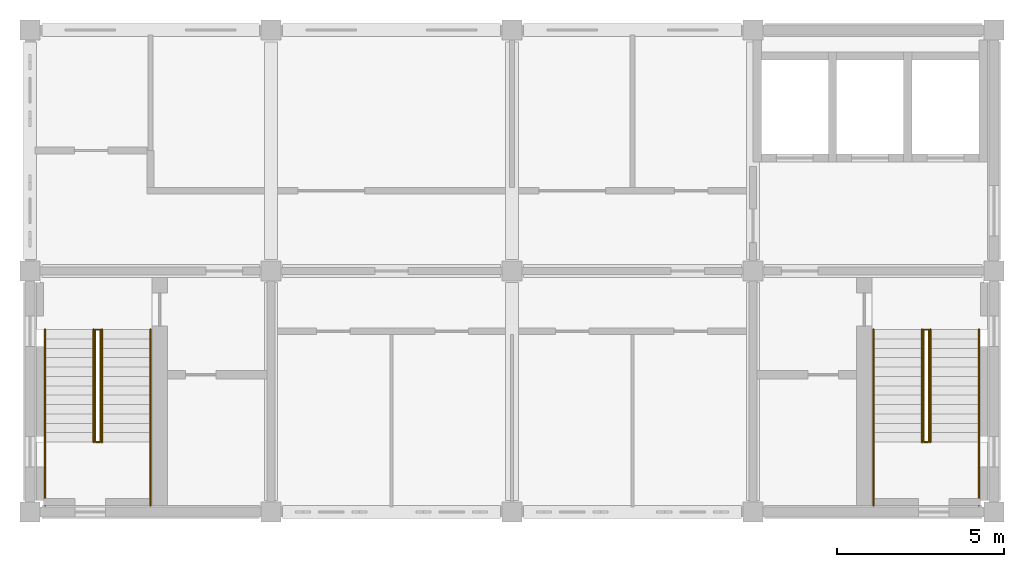
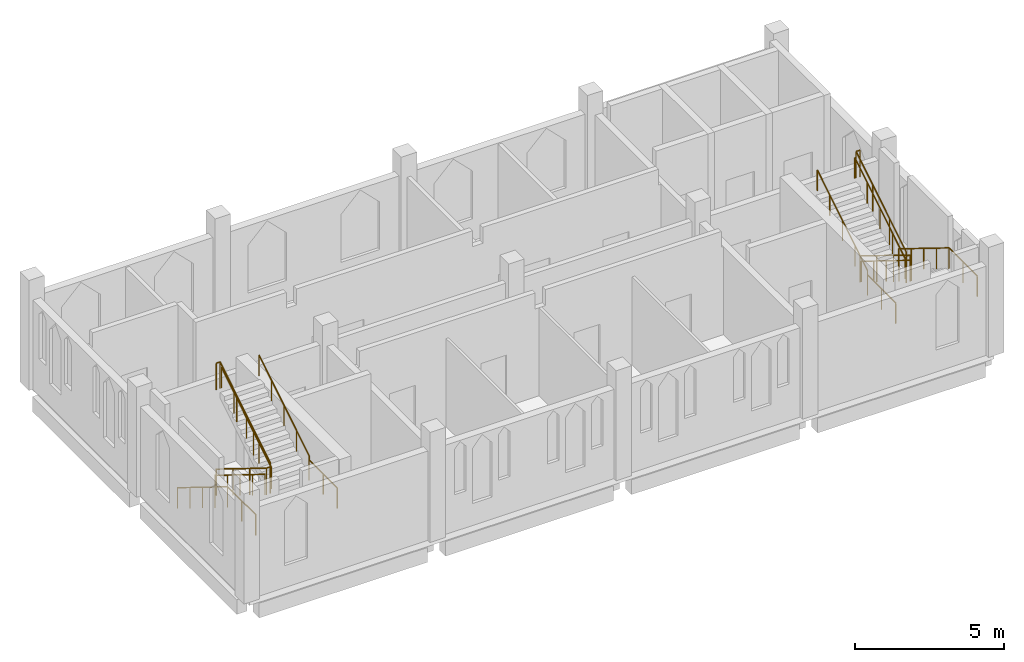
# One storey, part 5 of 5: 10 railings.
"""IFC4 building model written with IfcOpenShell, lengths in metres."""

from ifc_helpers import new_model, si_unit, direction, frame, origin, origin_2d, place, context, subcontext, project, spatial, circle, extrude, material, type_object, element, save


model = new_model("IFC4")

# Units and contexts
model_context = context("Model", 3, precision=1e-05, world=origin(), true_north=direction((0.0, 1.0)))
body_context = subcontext(model_context, "Body", "Model", "MODEL_VIEW")
ifc_project = project(units=[si_unit("LENGTHUNIT", "METRE"), si_unit("AREAUNIT", "SQUARE_METRE"), si_unit("VOLUMEUNIT", "CUBIC_METRE"), si_unit("PLANEANGLEUNIT", "RADIAN"), si_unit("MASSUNIT", "GRAM", prefix="KILO")], contexts=[model_context])

# Site, building, storey
site_placement = place(None, origin())
site = spatial("IfcSite", under=ifc_project, at=site_placement, CompositionType="ELEMENT")
building_placement = place(site_placement, origin())
building = spatial("IfcBuilding", under=site, at=building_placement, Name="Silangan Lancet Faculty of Sciences", CompositionType="ELEMENT")
storey_placement = place(building_placement, frame((0.0, 0.0, 72.300048828125)))
storey = spatial("IfcBuildingStorey", under=building, at=storey_placement, Name="L15", CompositionType="ELEMENT", Elevation=72.300048828125)

# Railings
ifc_material_1 = material(Name="Steel balustrade", Category="steel")
railing_type_1 = type_object("IfcRailingType", Name="STAIR GUARD 1100", PredefinedType="GUARDRAIL", material=ifc_material_1)
railing_1_placement = place(storey_placement, frame((1.949951171875, 5.449951171875, 0.173095703125)))
element("IfcRailing", 1, at=railing_1_placement, inside=storey, type_object=railing_type_1, Name="GUARD-ST-A-L15", PredefinedType="GUARDRAIL", context=body_context, shape_type="SweptSolid", body=[
    extrude(circle(Radius=0.02392578125, at=origin_2d()), frame((0.0, 0.0, 1.076171875), z_axis=(0.0, -0.850606129759, 0.525803396734), x_axis=(1.0, 0.0, 0.0)), (0.0, 0.0, 1.0), 3.949951171875),
    extrude(circle(Radius=0.02392578125, at=origin_2d()), frame((0.0, -3.35986328125, 3.15283203125), z_axis=(1.0, 0.0, 0.0), x_axis=(0.0, 1.0, 0.0)), (0.0, 0.0, 1.0), 0.150146484375),
    extrude(circle(Radius=0.02392578125, at=origin_2d()), frame((0.150146484375, -3.35986328125, 3.15283203125), z_axis=(0.0, 0.0, 1.0), x_axis=(1.0, 0.0, 0.0)), (0.0, 0.0, 1.0), 0.173095703125),
    extrude(circle(Radius=0.02392578125, at=origin_2d()), frame((0.150146484375, -3.35986328125, 3.326171875), z_axis=(0.0, 0.850606129759, 0.525803396734), x_axis=(-1.0, 0.0, 0.0)), (0.0, 0.0, 1.0), 3.949951171875),
    extrude(circle(Radius=0.02392578125, at=origin_2d()), frame((0.150146484375, 0.0, 5.40283203125), z_axis=(-1.0, 0.0, 0.0), x_axis=(0.0, -1.0, 0.0)), (0.0, 0.0, 1.0), 0.150146484375),
    extrude(circle(Radius=0.02099609375, at=origin_2d()), origin(), (0.0, 0.0, 1.0), 1.052001953125),
    extrude(circle(Radius=0.02099609375, at=origin_2d()), frame((0.0, -1.119873046875, 0.6923828125)), (0.0, 0.0, 1.0), 1.052001953125),
    extrude(circle(Radius=0.02099609375, at=origin_2d()), frame((0.0, -2.239990234375, 1.384521484375)), (0.0, 0.0, 1.0), 1.052001953125),
    extrude(circle(Radius=0.02099609375, at=origin_2d()), frame((0.0, -3.35986328125, 2.076904296875)), (0.0, 0.0, 1.0), 1.052001953125),
    extrude(circle(Radius=0.02099609375, at=origin_2d()), frame((0.150146484375, -3.35986328125, 2.076904296875)), (0.0, 0.0, 1.0), 1.052001953125),
    extrude(circle(Radius=0.02099609375, at=origin_2d()), frame((0.150146484375, -3.35986328125, 2.25)), (0.0, 0.0, 1.0), 1.052001953125),
    extrude(circle(Radius=0.02099609375, at=origin_2d()), frame((0.150146484375, -2.239990234375, 2.9423828125)), (0.0, 0.0, 1.0), 1.052001953125),
    extrude(circle(Radius=0.02099609375, at=origin_2d()), frame((0.150146484375, -1.119873046875, 3.634521484375)), (0.0, 0.0, 1.0), 1.052001953125),
    extrude(circle(Radius=0.02099609375, at=origin_2d()), frame((0.150146484375, 0.0, 4.326904296875)), (0.0, 0.0, 1.0), 1.052001953125),
    extrude(circle(Radius=0.02099609375, at=origin_2d()), frame((0.0, 0.0, 4.326904296875)), (0.0, 0.0, 1.0), 1.052001953125),
])
railing_2_placement = place(storey_placement, frame((26.85009765625, 5.449951171875, 0.173095703125)))
element("IfcRailing", 2, at=railing_2_placement, inside=storey, type_object=railing_type_1, Name="GUARD-ST-B-L15", PredefinedType="GUARDRAIL", context=body_context, shape_type="SweptSolid", body=[
    extrude(circle(Radius=0.02392578125, at=origin_2d()), frame((0.0, 0.0, 1.076171875), z_axis=(0.0, -0.850606129759, 0.525803396734), x_axis=(1.0, 0.0, 0.0)), (0.0, 0.0, 1.0), 3.949951171875),
    extrude(circle(Radius=0.02392578125, at=origin_2d()), frame((0.0, -3.35986328125, 3.15283203125), z_axis=(-1.0, 0.0, 0.0), x_axis=(0.0, -1.0, 0.0)), (0.0, 0.0, 1.0), 0.150146484375),
    extrude(circle(Radius=0.02392578125, at=origin_2d()), frame((-0.150146484375, -3.35986328125, 3.15283203125), z_axis=(0.0, 0.0, 1.0), x_axis=(1.0, 0.0, 0.0)), (0.0, 0.0, 1.0), 0.173095703125),
    extrude(circle(Radius=0.02392578125, at=origin_2d()), frame((-0.150146484375, -3.35986328125, 3.326171875), z_axis=(0.0, 0.850606129759, 0.525803396734), x_axis=(-1.0, 0.0, 0.0)), (0.0, 0.0, 1.0), 3.949951171875),
    extrude(circle(Radius=0.02392578125, at=origin_2d()), frame((-0.150146484375, 0.0, 5.40283203125), z_axis=(1.0, 0.0, 0.0), x_axis=(0.0, 1.0, 0.0)), (0.0, 0.0, 1.0), 0.150146484375),
    extrude(circle(Radius=0.02099609375, at=origin_2d()), origin(), (0.0, 0.0, 1.0), 1.052001953125),
    extrude(circle(Radius=0.02099609375, at=origin_2d()), frame((0.0, -1.119873046875, 0.6923828125)), (0.0, 0.0, 1.0), 1.052001953125),
    extrude(circle(Radius=0.02099609375, at=origin_2d()), frame((0.0, -2.239990234375, 1.384521484375)), (0.0, 0.0, 1.0), 1.052001953125),
    extrude(circle(Radius=0.02099609375, at=origin_2d()), frame((0.0, -3.35986328125, 2.076904296875)), (0.0, 0.0, 1.0), 1.052001953125),
    extrude(circle(Radius=0.02099609375, at=origin_2d()), frame((-0.150146484375, -3.35986328125, 2.076904296875)), (0.0, 0.0, 1.0), 1.052001953125),
    extrude(circle(Radius=0.02099609375, at=origin_2d()), frame((-0.150146484375, -3.35986328125, 2.25)), (0.0, 0.0, 1.0), 1.052001953125),
    extrude(circle(Radius=0.02099609375, at=origin_2d()), frame((-0.150146484375, -2.239990234375, 2.9423828125)), (0.0, 0.0, 1.0), 1.052001953125),
    extrude(circle(Radius=0.02099609375, at=origin_2d()), frame((-0.150146484375, -1.119873046875, 3.634521484375)), (0.0, 0.0, 1.0), 1.052001953125),
    extrude(circle(Radius=0.02099609375, at=origin_2d()), frame((-0.150146484375, 0.0, 4.326904296875)), (0.0, 0.0, 1.0), 1.052001953125),
    extrude(circle(Radius=0.02099609375, at=origin_2d()), frame((0.0, 0.0, 4.326904296875)), (0.0, 0.0, 1.0), 1.052001953125),
])
ifc_material_2 = material(Name="Stainless steel", Category="steel")
railing_type_2 = type_object("IfcRailingType", Name="STAIR HANDRAIL 865", PredefinedType="HANDRAIL", material=ifc_material_2)
railing_3_placement = place(storey_placement, frame((0.449951171875, 5.449951171875, 0.173095703125)))
element("IfcRailing", 3, at=railing_3_placement, inside=storey, type_object=railing_type_2, Name="HANDRAIL-ST-A-L15-O1", PredefinedType="HANDRAIL", context=body_context, shape_type="SweptSolid", body=[
    extrude(circle(Radius=0.02392578125, at=origin_2d()), frame((0.0, 0.0, 0.8408203125), z_axis=(0.0, -0.850654891397, 0.525724505556), x_axis=(1.0, 0.0, 0.0)), (0.0, 0.0, 1.0), 0.9873046875),
    extrude(circle(Radius=0.02392578125, at=origin_2d()), frame((0.0, -0.83984375, 1.35986328125), z_axis=(0.0, -0.85061266112, 0.525792830631), x_axis=(1.0, 0.0, 0.0)), (0.0, 0.0, 1.0), 0.987548828125),
    extrude(circle(Radius=0.02392578125, at=origin_2d()), frame((0.0, -1.679931640625, 1.87939453125), z_axis=(0.0, -0.85061266112, 0.525792830631), x_axis=(1.0, 0.0, 0.0)), (0.0, 0.0, 1.0), 0.987548828125),
    extrude(circle(Radius=0.02392578125, at=origin_2d()), frame((0.0, -2.52001953125, 2.3984375), z_axis=(0.0, -0.850544299321, 0.52590340833), x_axis=(1.0, 0.0, 0.0)), (0.0, 0.0, 1.0), 0.9873046875),
    extrude(circle(Radius=0.02392578125, at=origin_2d()), frame((0.0, -3.35986328125, 2.91796875), z_axis=(0.0, -1.0, 0.0), x_axis=(1.0, 0.0, 0.0)), (0.0, 0.0, 1.0), 1.89013671875),
    extrude(circle(Radius=0.02099609375, at=origin_2d()), origin(), (0.0, 0.0, 1.0), 0.81689453125),
    extrude(circle(Radius=0.02099609375, at=origin_2d()), frame((0.0, -0.83984375, 0.51904296875)), (0.0, 0.0, 1.0), 0.81689453125),
    extrude(circle(Radius=0.02099609375, at=origin_2d()), frame((0.0, -1.679931640625, 1.038330078125)), (0.0, 0.0, 1.0), 0.81689453125),
    extrude(circle(Radius=0.02099609375, at=origin_2d()), frame((0.0, -2.52001953125, 1.5576171875)), (0.0, 0.0, 1.0), 0.81689453125),
    extrude(circle(Radius=0.02099609375, at=origin_2d()), frame((0.0, -3.35986328125, 2.076904296875)), (0.0, 0.0, 1.0), 0.81689453125),
    extrude(circle(Radius=0.02099609375, at=origin_2d()), frame((0.0, -4.304931640625, 2.076904296875)), (0.0, 0.0, 1.0), 0.81689453125),
    extrude(circle(Radius=0.02099609375, at=origin_2d()), frame((0.0, -5.25, 2.076904296875)), (0.0, 0.0, 1.0), 0.81689453125),
])
railing_4_placement = place(storey_placement, frame((1.89990234375, 5.449951171875, 0.173095703125)))
element("IfcRailing", 4, at=railing_4_placement, inside=storey, type_object=railing_type_2, Name="HANDRAIL-ST-A-L15-I1", PredefinedType="HANDRAIL", context=body_context, shape_type="SweptSolid", body=[
    extrude(circle(Radius=0.02392578125, at=origin_2d()), frame((0.0, 0.0, 0.8408203125), z_axis=(0.0, -0.850654891397, 0.525724505556), x_axis=(1.0, 0.0, 0.0)), (0.0, 0.0, 1.0), 0.9873046875),
    extrude(circle(Radius=0.02392578125, at=origin_2d()), frame((0.0, -0.83984375, 1.35986328125), z_axis=(0.0, -0.85061266112, 0.525792830631), x_axis=(1.0, 0.0, 0.0)), (0.0, 0.0, 1.0), 0.987548828125),
    extrude(circle(Radius=0.02392578125, at=origin_2d()), frame((0.0, -1.679931640625, 1.87939453125), z_axis=(0.0, -0.85061266112, 0.525792830631), x_axis=(1.0, 0.0, 0.0)), (0.0, 0.0, 1.0), 0.987548828125),
    extrude(circle(Radius=0.02392578125, at=origin_2d()), frame((0.0, -2.52001953125, 2.3984375), z_axis=(0.0, -0.850544299321, 0.52590340833), x_axis=(1.0, 0.0, 0.0)), (0.0, 0.0, 1.0), 0.9873046875),
    extrude(circle(Radius=0.02099609375, at=origin_2d()), origin(), (0.0, 0.0, 1.0), 0.81689453125),
    extrude(circle(Radius=0.02099609375, at=origin_2d()), frame((0.0, -0.83984375, 0.51904296875)), (0.0, 0.0, 1.0), 0.81689453125),
    extrude(circle(Radius=0.02099609375, at=origin_2d()), frame((0.0, -1.679931640625, 1.038330078125)), (0.0, 0.0, 1.0), 0.81689453125),
    extrude(circle(Radius=0.02099609375, at=origin_2d()), frame((0.0, -2.52001953125, 1.5576171875)), (0.0, 0.0, 1.0), 0.81689453125),
    extrude(circle(Radius=0.02099609375, at=origin_2d()), frame((0.0, -3.35986328125, 2.076904296875)), (0.0, 0.0, 1.0), 0.81689453125),
])
railing_5_placement = place(storey_placement, frame((3.60009765625, 0.199951171875, 2.25)))
element("IfcRailing", 5, at=railing_5_placement, inside=storey, type_object=railing_type_2, Name="HANDRAIL-ST-A-L15-O2", PredefinedType="HANDRAIL", context=body_context, shape_type="SweptSolid", body=[
    extrude(circle(Radius=0.02392578125, at=origin_2d()), frame((0.0, 0.0, 0.8408203125), z_axis=(0.0, 1.0, 0.0), x_axis=(-1.0, 0.0, 0.0)), (0.0, 0.0, 1.0), 1.89013671875),
    extrude(circle(Radius=0.02392578125, at=origin_2d()), frame((0.0, 1.89013671875, 0.8408203125), z_axis=(0.0, 0.0, 1.0), x_axis=(1.0, 0.0, 0.0)), (0.0, 0.0, 1.0), 0.173095703125),
    extrude(circle(Radius=0.02392578125, at=origin_2d()), frame((0.0, 1.89013671875, 1.01416015625), z_axis=(0.0, 0.850654891397, 0.525724505556), x_axis=(-1.0, 0.0, 0.0)), (0.0, 0.0, 1.0), 0.9873046875),
    extrude(circle(Radius=0.02392578125, at=origin_2d()), frame((0.0, 2.72998046875, 1.533203125), z_axis=(0.0, 0.85061266112, 0.525792830631), x_axis=(-1.0, 0.0, 0.0)), (0.0, 0.0, 1.0), 0.987548828125),
    extrude(circle(Radius=0.02392578125, at=origin_2d()), frame((0.0, 3.570068359375, 2.05224609375), z_axis=(0.0, 0.85061266112, 0.525792830631), x_axis=(-1.0, 0.0, 0.0)), (0.0, 0.0, 1.0), 0.987548828125),
    extrude(circle(Radius=0.02392578125, at=origin_2d()), frame((0.0, 4.41015625, 2.57177734375), z_axis=(0.0, 0.850544299321, 0.52590340833), x_axis=(-1.0, 0.0, 0.0)), (0.0, 0.0, 1.0), 0.9873046875),
    extrude(circle(Radius=0.02099609375, at=origin_2d()), origin(), (0.0, 0.0, 1.0), 0.81689453125),
    extrude(circle(Radius=0.02099609375, at=origin_2d()), frame((0.0, 0.945068359375, 0.0)), (0.0, 0.0, 1.0), 0.81689453125),
    extrude(circle(Radius=0.02099609375, at=origin_2d()), frame((0.0, 1.89013671875, 0.0)), (0.0, 0.0, 1.0), 0.81689453125),
    extrude(circle(Radius=0.02099609375, at=origin_2d()), frame((0.0, 1.89013671875, 0.173095703125)), (0.0, 0.0, 1.0), 0.81689453125),
    extrude(circle(Radius=0.02099609375, at=origin_2d()), frame((0.0, 2.72998046875, 0.692138671875)), (0.0, 0.0, 1.0), 0.81689453125),
    extrude(circle(Radius=0.02099609375, at=origin_2d()), frame((0.0, 3.570068359375, 1.21142578125)), (0.0, 0.0, 1.0), 0.81689453125),
    extrude(circle(Radius=0.02099609375, at=origin_2d()), frame((0.0, 4.41015625, 1.730712890625)), (0.0, 0.0, 1.0), 0.81689453125),
    extrude(circle(Radius=0.02099609375, at=origin_2d()), frame((0.0, 5.25, 2.25)), (0.0, 0.0, 1.0), 0.81689453125),
])
railing_6_placement = place(storey_placement, frame((2.14990234375, 2.090087890625, 2.423095703125)))
element("IfcRailing", 6, at=railing_6_placement, inside=storey, type_object=railing_type_2, Name="HANDRAIL-ST-A-L15-I2", PredefinedType="HANDRAIL", context=body_context, shape_type="SweptSolid", body=[
    extrude(circle(Radius=0.02392578125, at=origin_2d()), frame((0.0, 0.0, 0.8408203125), z_axis=(0.0, 0.850654891397, 0.525724505556), x_axis=(-1.0, 0.0, 0.0)), (0.0, 0.0, 1.0), 0.9873046875),
    extrude(circle(Radius=0.02392578125, at=origin_2d()), frame((0.0, 0.83984375, 1.35986328125), z_axis=(0.0, 0.85061266112, 0.525792830631), x_axis=(-1.0, 0.0, 0.0)), (0.0, 0.0, 1.0), 0.987548828125),
    extrude(circle(Radius=0.02392578125, at=origin_2d()), frame((0.0, 1.679931640625, 1.87939453125), z_axis=(0.0, 0.85061266112, 0.525792830631), x_axis=(-1.0, 0.0, 0.0)), (0.0, 0.0, 1.0), 0.987548828125),
    extrude(circle(Radius=0.02392578125, at=origin_2d()), frame((0.0, 2.52001953125, 2.3984375), z_axis=(0.0, 0.850544299321, 0.52590340833), x_axis=(-1.0, 0.0, 0.0)), (0.0, 0.0, 1.0), 0.9873046875),
    extrude(circle(Radius=0.02099609375, at=origin_2d()), origin(), (0.0, 0.0, 1.0), 0.81689453125),
    extrude(circle(Radius=0.02099609375, at=origin_2d()), frame((0.0, 0.83984375, 0.51904296875)), (0.0, 0.0, 1.0), 0.81689453125),
    extrude(circle(Radius=0.02099609375, at=origin_2d()), frame((0.0, 1.679931640625, 1.038330078125)), (0.0, 0.0, 1.0), 0.81689453125),
    extrude(circle(Radius=0.02099609375, at=origin_2d()), frame((0.0, 2.52001953125, 1.5576171875)), (0.0, 0.0, 1.0), 0.81689453125),
    extrude(circle(Radius=0.02099609375, at=origin_2d()), frame((0.0, 3.35986328125, 2.076904296875)), (0.0, 0.0, 1.0), 0.81689453125),
])
railing_7_placement = place(storey_placement, frame((28.35009765625, 5.449951171875, 0.173095703125)))
element("IfcRailing", 7, at=railing_7_placement, inside=storey, type_object=railing_type_2, Name="HANDRAIL-ST-B-L15-O1", PredefinedType="HANDRAIL", context=body_context, shape_type="SweptSolid", body=[
    extrude(circle(Radius=0.02392578125, at=origin_2d()), frame((0.0, 0.0, 0.8408203125), z_axis=(0.0, -0.850654891397, 0.525724505556), x_axis=(1.0, 0.0, 0.0)), (0.0, 0.0, 1.0), 0.9873046875),
    extrude(circle(Radius=0.02392578125, at=origin_2d()), frame((0.0, -0.83984375, 1.35986328125), z_axis=(0.0, -0.85061266112, 0.525792830631), x_axis=(1.0, 0.0, 0.0)), (0.0, 0.0, 1.0), 0.987548828125),
    extrude(circle(Radius=0.02392578125, at=origin_2d()), frame((0.0, -1.679931640625, 1.87939453125), z_axis=(0.0, -0.85061266112, 0.525792830631), x_axis=(1.0, 0.0, 0.0)), (0.0, 0.0, 1.0), 0.987548828125),
    extrude(circle(Radius=0.02392578125, at=origin_2d()), frame((0.0, -2.52001953125, 2.3984375), z_axis=(0.0, -0.850544299321, 0.52590340833), x_axis=(1.0, 0.0, 0.0)), (0.0, 0.0, 1.0), 0.9873046875),
    extrude(circle(Radius=0.02392578125, at=origin_2d()), frame((0.0, -3.35986328125, 2.91796875), z_axis=(0.0, -1.0, 0.0), x_axis=(1.0, 0.0, 0.0)), (0.0, 0.0, 1.0), 1.89013671875),
    extrude(circle(Radius=0.02099609375, at=origin_2d()), origin(), (0.0, 0.0, 1.0), 0.81689453125),
    extrude(circle(Radius=0.02099609375, at=origin_2d()), frame((0.0, -0.83984375, 0.51904296875)), (0.0, 0.0, 1.0), 0.81689453125),
    extrude(circle(Radius=0.02099609375, at=origin_2d()), frame((0.0, -1.679931640625, 1.038330078125)), (0.0, 0.0, 1.0), 0.81689453125),
    extrude(circle(Radius=0.02099609375, at=origin_2d()), frame((0.0, -2.52001953125, 1.5576171875)), (0.0, 0.0, 1.0), 0.81689453125),
    extrude(circle(Radius=0.02099609375, at=origin_2d()), frame((0.0, -3.35986328125, 2.076904296875)), (0.0, 0.0, 1.0), 0.81689453125),
    extrude(circle(Radius=0.02099609375, at=origin_2d()), frame((0.0, -4.304931640625, 2.076904296875)), (0.0, 0.0, 1.0), 0.81689453125),
    extrude(circle(Radius=0.02099609375, at=origin_2d()), frame((0.0, -5.25, 2.076904296875)), (0.0, 0.0, 1.0), 0.81689453125),
])
railing_8_placement = place(storey_placement, frame((26.89990234375, 5.449951171875, 0.173095703125)))
element("IfcRailing", 8, at=railing_8_placement, inside=storey, type_object=railing_type_2, Name="HANDRAIL-ST-B-L15-I1", PredefinedType="HANDRAIL", context=body_context, shape_type="SweptSolid", body=[
    extrude(circle(Radius=0.02392578125, at=origin_2d()), frame((0.0, 0.0, 0.8408203125), z_axis=(0.0, -0.850654891397, 0.525724505556), x_axis=(1.0, 0.0, 0.0)), (0.0, 0.0, 1.0), 0.9873046875),
    extrude(circle(Radius=0.02392578125, at=origin_2d()), frame((0.0, -0.83984375, 1.35986328125), z_axis=(0.0, -0.85061266112, 0.525792830631), x_axis=(1.0, 0.0, 0.0)), (0.0, 0.0, 1.0), 0.987548828125),
    extrude(circle(Radius=0.02392578125, at=origin_2d()), frame((0.0, -1.679931640625, 1.87939453125), z_axis=(0.0, -0.85061266112, 0.525792830631), x_axis=(1.0, 0.0, 0.0)), (0.0, 0.0, 1.0), 0.987548828125),
    extrude(circle(Radius=0.02392578125, at=origin_2d()), frame((0.0, -2.52001953125, 2.3984375), z_axis=(0.0, -0.850544299321, 0.52590340833), x_axis=(1.0, 0.0, 0.0)), (0.0, 0.0, 1.0), 0.9873046875),
    extrude(circle(Radius=0.02099609375, at=origin_2d()), origin(), (0.0, 0.0, 1.0), 0.81689453125),
    extrude(circle(Radius=0.02099609375, at=origin_2d()), frame((0.0, -0.83984375, 0.51904296875)), (0.0, 0.0, 1.0), 0.81689453125),
    extrude(circle(Radius=0.02099609375, at=origin_2d()), frame((0.0, -1.679931640625, 1.038330078125)), (0.0, 0.0, 1.0), 0.81689453125),
    extrude(circle(Radius=0.02099609375, at=origin_2d()), frame((0.0, -2.52001953125, 1.5576171875)), (0.0, 0.0, 1.0), 0.81689453125),
    extrude(circle(Radius=0.02099609375, at=origin_2d()), frame((0.0, -3.35986328125, 2.076904296875)), (0.0, 0.0, 1.0), 0.81689453125),
])
railing_9_placement = place(storey_placement, frame((25.199951171875, 0.199951171875, 2.25)))
element("IfcRailing", 9, at=railing_9_placement, inside=storey, type_object=railing_type_2, Name="HANDRAIL-ST-B-L15-O2", PredefinedType="HANDRAIL", context=body_context, shape_type="SweptSolid", body=[
    extrude(circle(Radius=0.02392578125, at=origin_2d()), frame((0.0, 0.0, 0.8408203125), z_axis=(0.0, 1.0, 0.0), x_axis=(-1.0, 0.0, 0.0)), (0.0, 0.0, 1.0), 1.89013671875),
    extrude(circle(Radius=0.02392578125, at=origin_2d()), frame((0.0, 1.89013671875, 0.8408203125), z_axis=(0.0, 0.0, 1.0), x_axis=(1.0, 0.0, 0.0)), (0.0, 0.0, 1.0), 0.173095703125),
    extrude(circle(Radius=0.02392578125, at=origin_2d()), frame((0.0, 1.89013671875, 1.01416015625), z_axis=(0.0, 0.850654891397, 0.525724505556), x_axis=(-1.0, 0.0, 0.0)), (0.0, 0.0, 1.0), 0.9873046875),
    extrude(circle(Radius=0.02392578125, at=origin_2d()), frame((0.0, 2.72998046875, 1.533203125), z_axis=(0.0, 0.85061266112, 0.525792830631), x_axis=(-1.0, 0.0, 0.0)), (0.0, 0.0, 1.0), 0.987548828125),
    extrude(circle(Radius=0.02392578125, at=origin_2d()), frame((0.0, 3.570068359375, 2.05224609375), z_axis=(0.0, 0.85061266112, 0.525792830631), x_axis=(-1.0, 0.0, 0.0)), (0.0, 0.0, 1.0), 0.987548828125),
    extrude(circle(Radius=0.02392578125, at=origin_2d()), frame((0.0, 4.41015625, 2.57177734375), z_axis=(0.0, 0.850544299321, 0.52590340833), x_axis=(-1.0, 0.0, 0.0)), (0.0, 0.0, 1.0), 0.9873046875),
    extrude(circle(Radius=0.02099609375, at=origin_2d()), origin(), (0.0, 0.0, 1.0), 0.81689453125),
    extrude(circle(Radius=0.02099609375, at=origin_2d()), frame((0.0, 0.945068359375, 0.0)), (0.0, 0.0, 1.0), 0.81689453125),
    extrude(circle(Radius=0.02099609375, at=origin_2d()), frame((0.0, 1.89013671875, 0.0)), (0.0, 0.0, 1.0), 0.81689453125),
    extrude(circle(Radius=0.02099609375, at=origin_2d()), frame((0.0, 1.89013671875, 0.173095703125)), (0.0, 0.0, 1.0), 0.81689453125),
    extrude(circle(Radius=0.02099609375, at=origin_2d()), frame((0.0, 2.72998046875, 0.692138671875)), (0.0, 0.0, 1.0), 0.81689453125),
    extrude(circle(Radius=0.02099609375, at=origin_2d()), frame((0.0, 3.570068359375, 1.21142578125)), (0.0, 0.0, 1.0), 0.81689453125),
    extrude(circle(Radius=0.02099609375, at=origin_2d()), frame((0.0, 4.41015625, 1.730712890625)), (0.0, 0.0, 1.0), 0.81689453125),
    extrude(circle(Radius=0.02099609375, at=origin_2d()), frame((0.0, 5.25, 2.25)), (0.0, 0.0, 1.0), 0.81689453125),
])
railing_10_placement = place(storey_placement, frame((26.64990234375, 2.090087890625, 2.423095703125)))
element("IfcRailing", 10, at=railing_10_placement, inside=storey, type_object=railing_type_2, Name="HANDRAIL-ST-B-L15-I2", PredefinedType="HANDRAIL", context=body_context, shape_type="SweptSolid", body=[
    extrude(circle(Radius=0.02392578125, at=origin_2d()), frame((0.0, 0.0, 0.8408203125), z_axis=(0.0, 0.850654891397, 0.525724505556), x_axis=(-1.0, 0.0, 0.0)), (0.0, 0.0, 1.0), 0.9873046875),
    extrude(circle(Radius=0.02392578125, at=origin_2d()), frame((0.0, 0.83984375, 1.35986328125), z_axis=(0.0, 0.85061266112, 0.525792830631), x_axis=(-1.0, 0.0, 0.0)), (0.0, 0.0, 1.0), 0.987548828125),
    extrude(circle(Radius=0.02392578125, at=origin_2d()), frame((0.0, 1.679931640625, 1.87939453125), z_axis=(0.0, 0.85061266112, 0.525792830631), x_axis=(-1.0, 0.0, 0.0)), (0.0, 0.0, 1.0), 0.987548828125),
    extrude(circle(Radius=0.02392578125, at=origin_2d()), frame((0.0, 2.52001953125, 2.3984375), z_axis=(0.0, 0.850544299321, 0.52590340833), x_axis=(-1.0, 0.0, 0.0)), (0.0, 0.0, 1.0), 0.9873046875),
    extrude(circle(Radius=0.02099609375, at=origin_2d()), origin(), (0.0, 0.0, 1.0), 0.81689453125),
    extrude(circle(Radius=0.02099609375, at=origin_2d()), frame((0.0, 0.83984375, 0.51904296875)), (0.0, 0.0, 1.0), 0.81689453125),
    extrude(circle(Radius=0.02099609375, at=origin_2d()), frame((0.0, 1.679931640625, 1.038330078125)), (0.0, 0.0, 1.0), 0.81689453125),
    extrude(circle(Radius=0.02099609375, at=origin_2d()), frame((0.0, 2.52001953125, 1.5576171875)), (0.0, 0.0, 1.0), 0.81689453125),
    extrude(circle(Radius=0.02099609375, at=origin_2d()), frame((0.0, 3.35986328125, 2.076904296875)), (0.0, 0.0, 1.0), 0.81689453125),
])

save(model, "model.ifc")
